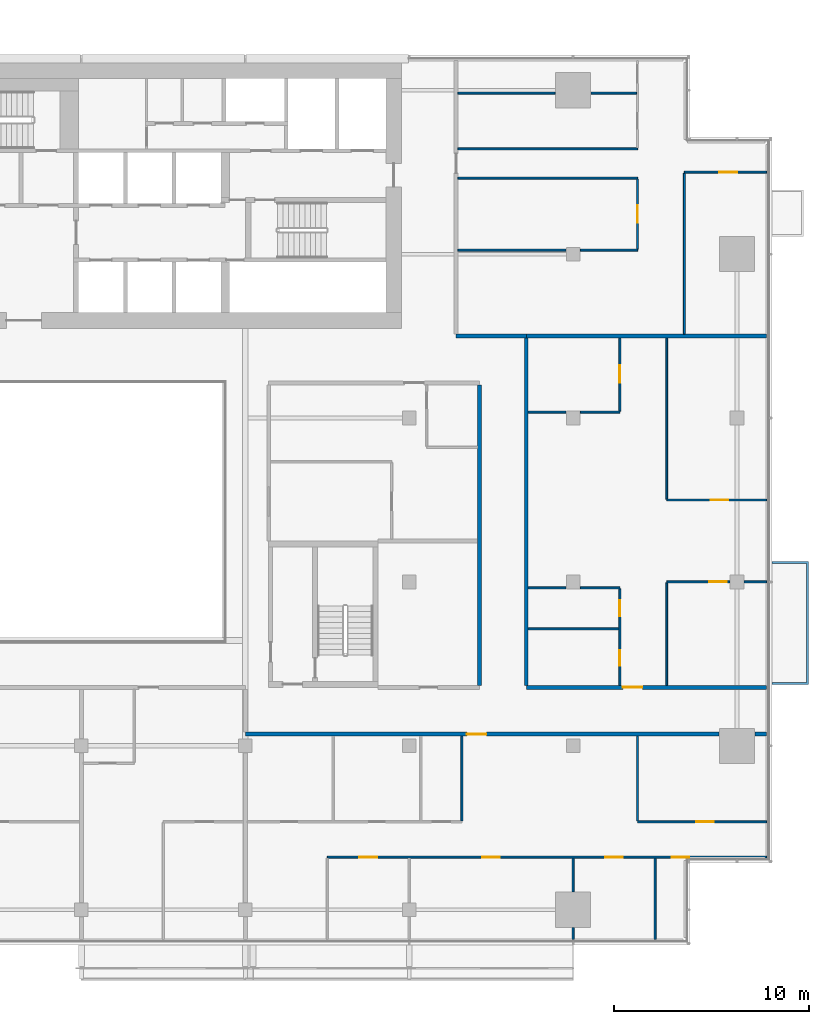
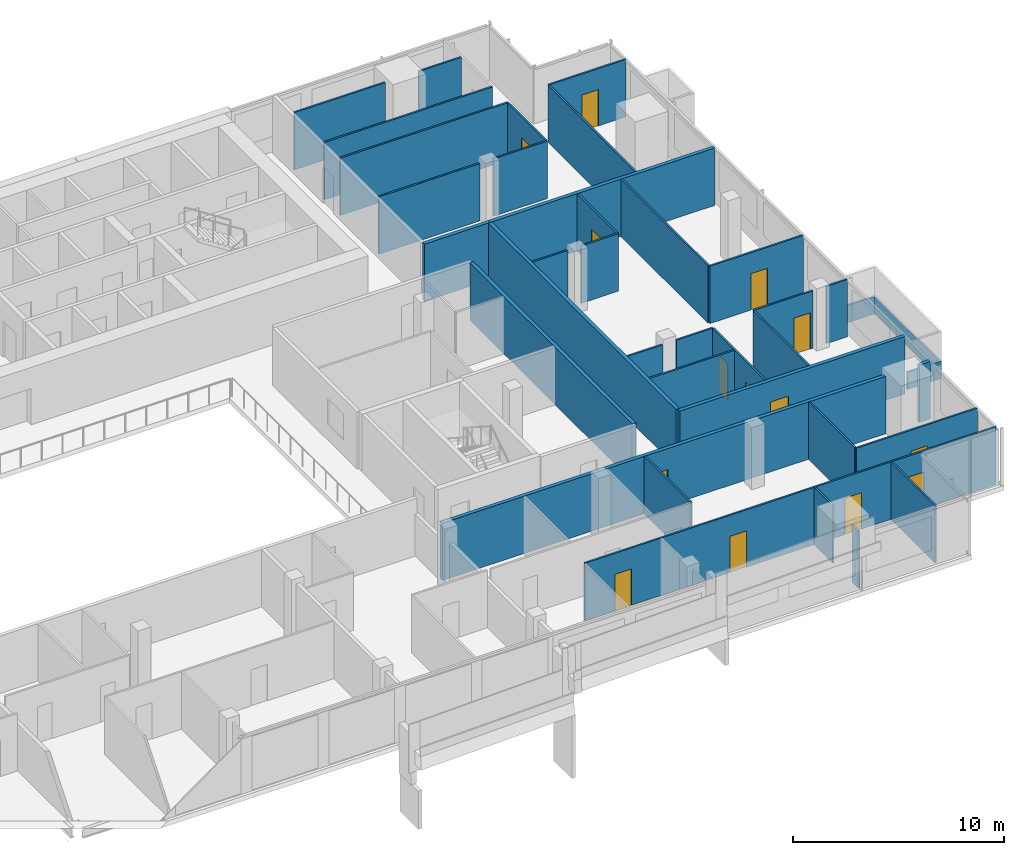
# One storey, part 23 of 28: 36 walls, 14 doors, 14 openings.
"""IFC4 building model written with IfcOpenShell, lengths in metres."""

from ifc_helpers import new_model, si_unit, direction, frame, frame_2d, origin, place, context, subcontext, project, spatial, polyline, rectangle, outline, extrude, material, layer, layer_set, type_object, element, fill, save


model = new_model("IFC4")

# Units and contexts
model_context = context("Model", 3, precision=1e-05, world=origin(), true_north=direction((0.0, 1.0)))
body_context = subcontext(model_context, "Body", "Model", "MODEL_VIEW")
ifc_project = project(units=[si_unit("LENGTHUNIT", "METRE"), si_unit("AREAUNIT", "SQUARE_METRE"), si_unit("VOLUMEUNIT", "CUBIC_METRE"), si_unit("PLANEANGLEUNIT", "RADIAN"), si_unit("MASSUNIT", "GRAM", prefix="KILO")], contexts=[model_context])

# Site, building, storey
site_placement = place(None, origin())
site = spatial("IfcSite", under=ifc_project, at=site_placement, CompositionType="ELEMENT")
building_placement = place(site_placement, origin())
building = spatial("IfcBuilding", under=site, at=building_placement, Name="Saffron Gate Tower", CompositionType="ELEMENT")
storey_placement = place(building_placement, frame((0.0, 0.0, 176.25)))
storey = spatial("IfcBuildingStorey", under=building, at=storey_placement, Name="L43", CompositionType="ELEMENT", Elevation=176.25)

# Wall, openings, doors
ifc_material_1 = material(Name="Plasterboard on steel studs", Category="steel")
ifc_layer_1 = layer(ifc_material_1, 0.10009765625)
ifc_layer_set_1 = layer_set([ifc_layer_1], Name="PW1 Partition 100")
wall_type_1 = type_object("IfcWallType", Name="PW1 Partition 100", PredefinedType="PARTITIONING", material=ifc_layer_set_1)
wall_1_placement = place(storey_placement, frame((126.919921875, 34.5, 0.0), z_axis=(0.0, 0.0, 1.0), x_axis=(-1.0, 0.0, 0.0)))
wall_1 = element("IfcWall", 1, at=wall_1_placement, inside=storey, type_object=wall_type_1, Name="Partition C3-1", PredefinedType="PARTITIONING", context=body_context, shape_type="SweptSolid", body=[
    extrude(rectangle(XDim=22.52001953125, YDim=0.10009765625, at=frame_2d((11.260009765625, 0.0))), origin(), (0.0, 0.0, 1.0), 3.320068359375),
])
opening_1_placement = place(wall_1_placement, frame((3.96630859375, 0.0, 0.0)))
opening_1 = element("IfcOpeningElement", 2, at=opening_1_placement, cuts=wall_1, Name="Opening C3-23", PredefinedType="OPENING", context=body_context, shape_type="SweptSolid", body=[
    extrude(rectangle(XDim=0.89990234375, YDim=2.10009765625, at=frame_2d((0.449951171875, 1.050048828125))), frame((0.0, 0.06005859375, 0.0), z_axis=(0.0, -1.0, 0.0), x_axis=(1.0, 0.0, 0.0)), (0.0, 0.0, 1.0), 0.1201171875),
])
opening_2_placement = place(wall_1_placement, frame((7.3701171875, 0.0, 0.0)))
opening_2 = element("IfcOpeningElement", 3, at=opening_2_placement, cuts=wall_1, Name="Opening C3-22", PredefinedType="OPENING", context=body_context, shape_type="SweptSolid", body=[
    extrude(rectangle(XDim=0.89990234375, YDim=2.10009765625, at=frame_2d((0.449951171875, 1.050048828125))), frame((0.0, 0.06005859375, 0.0), z_axis=(0.0, -1.0, 0.0), x_axis=(1.0, 0.0, 0.0)), (0.0, 0.0, 1.0), 0.1201171875),
])
opening_3_placement = place(wall_1_placement, frame((13.669921875, 0.0, 0.0)))
opening_3 = element("IfcOpeningElement", 4, at=opening_3_placement, cuts=wall_1, Name="Opening C3-21", PredefinedType="OPENING", context=body_context, shape_type="SweptSolid", body=[
    extrude(rectangle(XDim=0.89990234375, YDim=2.10009765625, at=frame_2d((0.449951171875, 1.050048828125))), frame((0.0, 0.06005859375, 0.0), z_axis=(0.0, -1.0, 0.0), x_axis=(1.0, 0.0, 0.0)), (0.0, 0.0, 1.0), 0.1201171875),
])
opening_4_placement = place(wall_1_placement, frame((19.969970703125, 0.0, 0.0)))
opening_4 = element("IfcOpeningElement", 5, at=opening_4_placement, cuts=wall_1, Name="Opening C3-20", PredefinedType="OPENING", context=body_context, shape_type="SweptSolid", body=[
    extrude(rectangle(XDim=0.89990234375, YDim=2.10009765625, at=frame_2d((0.449951171875, 1.050048828125))), frame((0.0, 0.06005859375, 0.0), z_axis=(0.0, -1.0, 0.0), x_axis=(1.0, 0.0, 0.0)), (0.0, 0.0, 1.0), 0.1201171875),
])
ifc_material_2 = material(Name="Timber door set", Category="wood")
door_type_1 = type_object("IfcDoorType", Name="RD1 Room door 900x2100", OperationType="NOTDEFINED", PredefinedType="DOOR", material=ifc_material_2)
door_1_placement = place(opening_1_placement, origin())
door_1 = element("IfcDoor", 6, at=door_1_placement, inside=storey, type_object=door_type_1, Name="Door C3-23", OperationType="SINGLE_SWING_RIGHT", OverallHeight=2.10009765625, OverallWidth=0.89990234375, PredefinedType="DOOR", context=body_context, shape_type="SweptSolid", body=[
    extrude(rectangle(XDim=0.89990234375, YDim=2.10009765625, at=frame_2d((0.449951171875, 1.050048828125))), frame((0.0, 0.02490234375, 0.0), z_axis=(0.0, -1.0, 0.0), x_axis=(1.0, 0.0, 0.0)), (0.0, 0.0, 1.0), 0.050048828125),
])
fill(opening_1, door_1)
door_2_placement = place(opening_2_placement, origin())
door_2 = element("IfcDoor", 7, at=door_2_placement, inside=storey, type_object=door_type_1, Name="Door C3-22", OperationType="SINGLE_SWING_RIGHT", OverallHeight=2.10009765625, OverallWidth=0.89990234375, PredefinedType="DOOR", context=body_context, shape_type="SweptSolid", body=[
    extrude(rectangle(XDim=0.89990234375, YDim=2.10009765625, at=frame_2d((0.449951171875, 1.050048828125))), frame((0.0, 0.02490234375, 0.0), z_axis=(0.0, -1.0, 0.0), x_axis=(1.0, 0.0, 0.0)), (0.0, 0.0, 1.0), 0.050048828125),
])
fill(opening_2, door_2)
door_3_placement = place(opening_3_placement, origin())
door_3 = element("IfcDoor", 8, at=door_3_placement, inside=storey, type_object=door_type_1, Name="Door C3-21", OperationType="SINGLE_SWING_RIGHT", OverallHeight=2.10009765625, OverallWidth=0.89990234375, PredefinedType="DOOR", context=body_context, shape_type="SweptSolid", body=[
    extrude(rectangle(XDim=0.89990234375, YDim=2.10009765625, at=frame_2d((0.449951171875, 1.050048828125))), frame((0.0, 0.02490234375, 0.0), z_axis=(0.0, -1.0, 0.0), x_axis=(1.0, 0.0, 0.0)), (0.0, 0.0, 1.0), 0.050048828125),
])
fill(opening_3, door_3)
door_4_placement = place(opening_4_placement, origin())
door_4 = element("IfcDoor", 9, at=door_4_placement, inside=storey, type_object=door_type_1, Name="Door C3-20", OperationType="SINGLE_SWING_RIGHT", OverallHeight=2.10009765625, OverallWidth=0.89990234375, PredefinedType="DOOR", context=body_context, shape_type="SweptSolid", body=[
    extrude(rectangle(XDim=0.89990234375, YDim=2.10009765625, at=frame_2d((0.449951171875, 1.050048828125))), frame((0.0, 0.02490234375, 0.0), z_axis=(0.0, -1.0, 0.0), x_axis=(1.0, 0.0, 0.0)), (0.0, 0.0, 1.0), 0.050048828125),
])
fill(opening_4, door_4)

# Wall, opening, door
wall_2_placement = place(storey_placement, frame((120.300048828125, 36.300048828125, 0.0), z_axis=(0.0, 0.0, 1.0), x_axis=(1.0, 0.0, 0.0)))
wall_2 = element("IfcWall", 10, at=wall_2_placement, inside=storey, type_object=wall_type_1, Name="Partition C3-4", PredefinedType="PARTITIONING", context=body_context, shape_type="SweptSolid", body=[
    extrude(rectangle(XDim=6.619873046875, YDim=0.10009765625, at=frame_2d((3.31005859375, 0.0))), origin(), (0.0, 0.0, 1.0), 3.320068359375),
])
opening_5_placement = place(wall_2_placement, frame((3.0, 0.0, 0.0)))
opening_5 = element("IfcOpeningElement", 11, at=opening_5_placement, cuts=wall_2, Name="Opening C3-24", PredefinedType="OPENING", context=body_context, shape_type="SweptSolid", body=[
    extrude(rectangle(XDim=0.89990234375, YDim=2.10009765625, at=frame_2d((0.449951171875, 1.050048828125))), frame((0.0, 0.06005859375, 0.0), z_axis=(0.0, -1.0, 0.0), x_axis=(1.0, 0.0, 0.0)), (0.0, 0.0, 1.0), 0.1201171875),
])
door_5_placement = place(opening_5_placement, origin())
door_5 = element("IfcDoor", 12, at=door_5_placement, inside=storey, type_object=door_type_1, Name="Door C3-24", OperationType="SINGLE_SWING_RIGHT", OverallHeight=2.10009765625, OverallWidth=0.89990234375, PredefinedType="DOOR", context=body_context, shape_type="SweptSolid", body=[
    extrude(rectangle(XDim=0.89990234375, YDim=2.10009765625, at=frame_2d((0.449951171875, 1.050048828125))), frame((0.0, 0.02490234375, 0.0), z_axis=(0.0, -1.0, 0.0), x_axis=(1.0, 0.0, 0.0)), (0.0, 0.0, 1.0), 0.050048828125),
])
fill(opening_5, door_5)

# Walls
wall_3_placement = place(storey_placement, frame((114.699951171875, 46.199951171875, 0.0), z_axis=(0.0, 0.0, 1.0), x_axis=(1.0, 0.0, 0.0)))
element("IfcWall", 13, at=wall_3_placement, inside=storey, type_object=wall_type_1, Name="Partition C3-18", PredefinedType="PARTITIONING", context=body_context, shape_type="SweptSolid", body=[
    extrude(rectangle(XDim=4.650146484375, YDim=0.10009765625, at=frame_2d((2.3251953125, 0.0))), origin(), (0.0, 0.0, 1.0), 3.320068359375),
])
wall_4_placement = place(storey_placement, frame((114.699951171875, 48.300048828125, 0.0), z_axis=(0.0, 0.0, 1.0), x_axis=(1.0, 0.0, 0.0)))
element("IfcWall", 14, at=wall_4_placement, inside=storey, type_object=wall_type_1, Name="Partition C3-19", PredefinedType="PARTITIONING", context=body_context, shape_type="SweptSolid", body=[
    extrude(rectangle(XDim=1.929931640625, YDim=0.10009765625, at=frame_2d((0.96484375, 0.0))), origin(), (0.0, 0.0, 1.0), 3.320068359375),
])
wall_5_placement = place(storey_placement, frame((117.3701171875, 48.300048828125, 0.0), z_axis=(0.0, 0.0, 1.0), x_axis=(1.0, 0.0, 0.0)))
element("IfcWall", 15, at=wall_5_placement, inside=storey, type_object=wall_type_1, Name="Partition C3-20", PredefinedType="PARTITIONING", context=body_context, shape_type="SweptSolid", body=[
    extrude(rectangle(XDim=2.02978515625, YDim=0.10009765625, at=frame_2d((1.014892578125, 0.0))), origin(), (0.0, 0.0, 1.0), 3.320068359375),
])

# Wall, opening, door
wall_6_placement = place(storey_placement, frame((125.030029296875, 48.60009765625, 0.0), z_axis=(0.0, 0.0, 1.0), x_axis=(-1.0, 0.0, 0.0)))
wall_6 = element("IfcWall", 16, at=wall_6_placement, inside=storey, type_object=wall_type_1, Name="Partition C3-23", PredefinedType="PARTITIONING", context=body_context, shape_type="SweptSolid", body=[
    extrude(rectangle(XDim=3.22998046875, YDim=0.10009765625, at=frame_2d((1.614990234375, 0.0))), origin(), (0.0, 0.0, 1.0), 3.320068359375),
])
opening_6_placement = place(wall_6_placement, frame((0.14990234375, 0.0, 0.0)))
opening_6 = element("IfcOpeningElement", 17, at=opening_6_placement, cuts=wall_6, Name="Opening C3-32", PredefinedType="OPENING", context=body_context, shape_type="SweptSolid", body=[
    extrude(rectangle(XDim=0.89990234375, YDim=2.10009765625, at=frame_2d((0.449951171875, 1.050048828125))), frame((0.0, 0.06005859375, 0.0), z_axis=(0.0, -1.0, 0.0), x_axis=(1.0, 0.0, 0.0)), (0.0, 0.0, 1.0), 0.1201171875),
])
door_6_placement = place(opening_6_placement, origin())
door_6 = element("IfcDoor", 18, at=door_6_placement, inside=storey, type_object=door_type_1, Name="Door C3-32", OperationType="SINGLE_SWING_LEFT", OverallHeight=2.10009765625, OverallWidth=0.89990234375, PredefinedType="DOOR", context=body_context, shape_type="SweptSolid", body=[
    extrude(rectangle(XDim=0.89990234375, YDim=2.10009765625, at=frame_2d((0.449951171875, 1.050048828125))), frame((0.0, 0.02490234375, 0.0), z_axis=(0.0, -1.0, 0.0), x_axis=(1.0, 0.0, 0.0)), (0.0, 0.0, 1.0), 0.050048828125),
])
fill(opening_6, door_6)

# Wall
wall_7_placement = place(storey_placement, frame((125.77001953125, 48.60009765625, 0.0), z_axis=(0.0, 0.0, 1.0), x_axis=(1.0, 0.0, 0.0)))
element("IfcWall", 19, at=wall_7_placement, inside=storey, type_object=wall_type_1, Name="Partition C3-24", PredefinedType="PARTITIONING", context=body_context, shape_type="SweptSolid", body=[
    extrude(rectangle(XDim=1.14990234375, YDim=0.10009765625, at=frame_2d((0.574951171875, 0.0))), origin(), (0.0, 0.0, 1.0), 3.320068359375),
])

# Wall, opening, door
wall_8_placement = place(storey_placement, frame((121.800048828125, 52.800048828125, 0.0), z_axis=(0.0, 0.0, 1.0), x_axis=(1.0, 0.0, 0.0)))
wall_8 = element("IfcWall", 20, at=wall_8_placement, inside=storey, type_object=wall_type_1, Name="Partition C3-29", PredefinedType="PARTITIONING", context=body_context, shape_type="SweptSolid", body=[
    extrude(rectangle(XDim=5.119873046875, YDim=0.10009765625, at=frame_2d((2.56005859375, 0.0))), origin(), (0.0, 0.0, 1.0), 3.320068359375),
])
opening_7_placement = place(wall_8_placement, frame((2.25, 0.0, 0.0)))
opening_7 = element("IfcOpeningElement", 21, at=opening_7_placement, cuts=wall_8, Name="Opening C3-33", PredefinedType="OPENING", context=body_context, shape_type="SweptSolid", body=[
    extrude(rectangle(XDim=0.89990234375, YDim=2.10009765625, at=frame_2d((0.449951171875, 1.050048828125))), frame((0.0, 0.06005859375, 0.0), z_axis=(0.0, -1.0, 0.0), x_axis=(1.0, 0.0, 0.0)), (0.0, 0.0, 1.0), 0.1201171875),
])
door_7_placement = place(opening_7_placement, origin())
door_7 = element("IfcDoor", 22, at=door_7_placement, inside=storey, type_object=door_type_1, Name="Door C3-33", OperationType="SINGLE_SWING_RIGHT", OverallHeight=2.10009765625, OverallWidth=0.89990234375, PredefinedType="DOOR", context=body_context, shape_type="SweptSolid", body=[
    extrude(rectangle(XDim=0.89990234375, YDim=2.10009765625, at=frame_2d((0.449951171875, 1.050048828125))), frame((0.0, 0.02490234375, 0.0), z_axis=(0.0, -1.0, 0.0), x_axis=(1.0, 0.0, 0.0)), (0.0, 0.0, 1.0), 0.050048828125),
])
fill(opening_7, door_7)

# Walls
wall_9_placement = place(storey_placement, frame((114.699951171875, 57.300048828125, 0.0), z_axis=(0.0, 0.0, 1.0), x_axis=(1.0, 0.0, 0.0)))
element("IfcWall", 23, at=wall_9_placement, inside=storey, type_object=wall_type_1, Name="Partition C3-36", PredefinedType="PARTITIONING", context=body_context, shape_type="SweptSolid", body=[
    extrude(rectangle(XDim=1.929931640625, YDim=0.10009765625, at=frame_2d((0.96484375, 0.0))), origin(), (0.0, 0.0, 1.0), 3.320068359375),
])
wall_10_placement = place(storey_placement, frame((117.3701171875, 57.300048828125, 0.0), z_axis=(0.0, 0.0, 1.0), x_axis=(1.0, 0.0, 0.0)))
element("IfcWall", 24, at=wall_10_placement, inside=storey, type_object=wall_type_1, Name="Partition C3-37", PredefinedType="PARTITIONING", context=body_context, shape_type="SweptSolid", body=[
    extrude(rectangle(XDim=2.02978515625, YDim=0.10009765625, at=frame_2d((1.014892578125, 0.0))), origin(), (0.0, 0.0, 1.0), 3.320068359375),
])
wall_11_placement = place(storey_placement, frame((111.10009765625, 65.608642578125, 0.0), z_axis=(0.0, 0.0, 1.0), x_axis=(1.0, 0.0, 0.0)))
element("IfcWall", 25, at=wall_11_placement, inside=storey, type_object=wall_type_1, Name="Partition C3-46", PredefinedType="PARTITIONING", context=body_context, shape_type="SweptSolid", body=[
    extrude(rectangle(XDim=5.52978515625, YDim=0.10009765625, at=frame_2d((2.764892578125, 0.0))), origin(), (0.0, 0.0, 1.0), 3.320068359375),
])
wall_12_placement = place(storey_placement, frame((117.3701171875, 65.608642578125, 0.0), z_axis=(0.0, 0.0, 1.0), x_axis=(1.0, 0.0, 0.0)))
element("IfcWall", 26, at=wall_12_placement, inside=storey, type_object=wall_type_1, Name="Partition C3-47", PredefinedType="PARTITIONING", context=body_context, shape_type="SweptSolid", body=[
    extrude(rectangle(XDim=2.929931640625, YDim=0.10009765625, at=frame_2d((1.46484375, 0.0))), origin(), (0.0, 0.0, 1.0), 3.320068359375),
])
wall_13_placement = place(storey_placement, frame((111.10009765625, 69.300048828125, 0.0), z_axis=(0.0, 0.0, 1.0), x_axis=(1.0, 0.0, 0.0)))
element("IfcWall", 27, at=wall_13_placement, inside=storey, type_object=wall_type_1, Name="Partition C3-50", PredefinedType="PARTITIONING", context=body_context, shape_type="SweptSolid", body=[
    extrude(rectangle(XDim=9.199951171875, YDim=0.10009765625, at=frame_2d((4.60009765625, 0.0))), origin(), (0.0, 0.0, 1.0), 3.320068359375),
])

# Wall, opening, door
wall_14_placement = place(storey_placement, frame((126.919921875, 69.60009765625, 0.0), z_axis=(0.0, 0.0, 1.0), x_axis=(-1.0, 0.0, 0.0)))
wall_14 = element("IfcWall", 28, at=wall_14_placement, inside=storey, type_object=wall_type_1, Name="Partition C3-52", PredefinedType="PARTITIONING", context=body_context, shape_type="SweptSolid", body=[
    extrude(rectangle(XDim=4.219970703125, YDim=0.10009765625, at=frame_2d((2.10986328125, 0.0))), origin(), (0.0, 0.0, 1.0), 3.320068359375),
])
opening_8_placement = place(wall_14_placement, frame((1.52001953125, 0.0, 0.0)))
opening_8 = element("IfcOpeningElement", 29, at=opening_8_placement, cuts=wall_14, Name="Opening C3-35", PredefinedType="OPENING", context=body_context, shape_type="SweptSolid", body=[
    extrude(rectangle(XDim=0.89990234375, YDim=2.10009765625, at=frame_2d((0.449951171875, 1.050048828125))), frame((0.0, 0.06005859375, 0.0), z_axis=(0.0, -1.0, 0.0), x_axis=(1.0, 0.0, 0.0)), (0.0, 0.0, 1.0), 0.1201171875),
])
door_8_placement = place(opening_8_placement, origin())
door_8 = element("IfcDoor", 30, at=door_8_placement, inside=storey, type_object=door_type_1, Name="Door C3-35", OperationType="SINGLE_SWING_LEFT", OverallHeight=2.10009765625, OverallWidth=0.89990234375, PredefinedType="DOOR", context=body_context, shape_type="SweptSolid", body=[
    extrude(rectangle(XDim=0.89990234375, YDim=2.10009765625, at=frame_2d((0.449951171875, 1.050048828125))), frame((0.0, 0.02490234375, 0.0), z_axis=(0.0, -1.0, 0.0), x_axis=(1.0, 0.0, 0.0)), (0.0, 0.0, 1.0), 0.050048828125),
])
fill(opening_8, door_8)

# Walls
wall_15_placement = place(storey_placement, frame((111.10009765625, 70.800048828125, 0.0), z_axis=(0.0, 0.0, 1.0), x_axis=(1.0, 0.0, 0.0)))
element("IfcWall", 31, at=wall_15_placement, inside=storey, type_object=wall_type_1, Name="Partition C3-53", PredefinedType="PARTITIONING", context=body_context, shape_type="SweptSolid", body=[
    extrude(rectangle(XDim=9.199951171875, YDim=0.10009765625, at=frame_2d((4.60009765625, 0.0))), origin(), (0.0, 0.0, 1.0), 3.320068359375),
])
wall_16_placement = place(storey_placement, frame((111.10009765625, 73.6494140625, 0.0), z_axis=(0.0, 0.0, 1.0), x_axis=(1.0, 0.0, 0.0)))
element("IfcWall", 32, at=wall_16_placement, inside=storey, type_object=wall_type_1, Name="Partition C3-55", PredefinedType="PARTITIONING", context=body_context, shape_type="SweptSolid", body=[
    extrude(rectangle(XDim=4.97998046875, YDim=0.10009765625, at=frame_2d((2.489990234375, 0.0))), origin(), (0.0, 0.0, 1.0), 3.320068359375),
])
wall_17_placement = place(storey_placement, frame((117.919921875, 73.6494140625, 0.0), z_axis=(0.0, 0.0, 1.0), x_axis=(1.0, 0.0, 0.0)))
element("IfcWall", 33, at=wall_17_placement, inside=storey, type_object=wall_type_1, Name="Partition C3-56", PredefinedType="PARTITIONING", context=body_context, shape_type="SweptSolid", body=[
    extrude(rectangle(XDim=2.330078125, YDim=0.10009765625, at=frame_2d((1.1650390625, 0.0))), origin(), (0.0, 0.0, 1.0), 3.320068359375),
])
wall_18_placement = place(storey_placement, frame((111.300048828125, 40.699951171875, 0.0), z_axis=(0.0, 0.0, 1.0), x_axis=(0.0, -1.0, 0.0)))
element("IfcWall", 34, at=wall_18_placement, inside=storey, type_object=wall_type_1, Name="Partition C3-105", PredefinedType="PARTITIONING", context=body_context, shape_type="SweptSolid", body=[
    extrude(rectangle(XDim=4.349853515625, YDim=0.10009765625, at=frame_2d((2.1748046875, 0.0))), origin(), (0.0, 0.0, 1.0), 3.320068359375),
])
wall_19_placement = place(storey_placement, frame((117.0, 30.8798828125, 0.0), z_axis=(0.0, 0.0, 1.0), x_axis=(0.0, -1.0, 0.0)))
element("IfcWall", 35, at=wall_19_placement, inside=storey, type_object=wall_type_1, Name="Partition C3-108", PredefinedType="PARTITIONING", context=body_context, shape_type="SweptSolid", body=[
    extrude(rectangle(XDim=0.599853515625, YDim=0.10009765625, at=frame_2d((0.2998046875, 0.0))), origin(), (0.0, 0.0, 1.0), 3.320068359375),
])
wall_20_placement = place(storey_placement, frame((117.0, 34.449951171875, 0.0), z_axis=(0.0, 0.0, 1.0), x_axis=(0.0, -1.0, 0.0)))
element("IfcWall", 36, at=wall_20_placement, inside=storey, type_object=wall_type_1, Name="Partition C3-109", PredefinedType="PARTITIONING", context=body_context, shape_type="SweptSolid", body=[
    extrude(rectangle(XDim=1.72998046875, YDim=0.10009765625, at=frame_2d((0.864990234375, 0.0))), origin(), (0.0, 0.0, 1.0), 3.320068359375),
])

# Wall, openings, doors
wall_21_placement = place(storey_placement, frame((119.39990234375, 43.300048828125, 0.0), z_axis=(0.0, 0.0, 1.0), x_axis=(0.0, 1.0, 0.0)))
wall_21 = element("IfcWall", 37, at=wall_21_placement, inside=storey, type_object=wall_type_1, Name="Partition C3-110", PredefinedType="PARTITIONING", context=body_context, shape_type="SweptSolid", body=[
    extrude(rectangle(XDim=4.949951171875, YDim=0.10009765625, at=frame_2d((2.47509765625, 0.0))), origin(), (0.0, 0.0, 1.0), 3.320068359375),
])
opening_9_placement = place(wall_21_placement, frame((1.0, 0.0, 0.0)))
opening_9 = element("IfcOpeningElement", 38, at=opening_9_placement, cuts=wall_21, Name="Opening C3-50", PredefinedType="OPENING", context=body_context, shape_type="SweptSolid", body=[
    extrude(rectangle(XDim=0.800048828125, YDim=2.10009765625, at=frame_2d((0.39990234375, 1.050048828125))), frame((0.0, 0.06005859375, 0.0), z_axis=(0.0, -1.0, 0.0), x_axis=(1.0, 0.0, 0.0)), (0.0, 0.0, 1.0), 0.1201171875),
])
opening_10_placement = place(wall_21_placement, frame((3.550048828125, 0.0, 0.0)))
opening_10 = element("IfcOpeningElement", 39, at=opening_10_placement, cuts=wall_21, Name="Opening C3-51", PredefinedType="OPENING", context=body_context, shape_type="SweptSolid", body=[
    extrude(rectangle(XDim=0.800048828125, YDim=2.10009765625, at=frame_2d((0.39990234375, 1.050048828125))), frame((0.0, 0.06005859375, 0.0), z_axis=(0.0, -1.0, 0.0), x_axis=(1.0, 0.0, 0.0)), (0.0, 0.0, 1.0), 0.1201171875),
])
door_type_2 = type_object("IfcDoorType", Name="RD2 Bathroom door 800x2100", OperationType="NOTDEFINED", PredefinedType="DOOR", material=ifc_material_2)
door_9_placement = place(opening_9_placement, origin())
door_9 = element("IfcDoor", 40, at=door_9_placement, inside=storey, type_object=door_type_2, Name="Door C3-50", OperationType="SINGLE_SWING_LEFT", OverallHeight=2.10009765625, OverallWidth=0.800048828125, PredefinedType="DOOR", context=body_context, shape_type="SweptSolid", body=[
    extrude(rectangle(XDim=0.800048828125, YDim=2.10009765625, at=frame_2d((0.39990234375, 1.050048828125))), frame((0.0, 0.02490234375, 0.0), z_axis=(0.0, -1.0, 0.0), x_axis=(1.0, 0.0, 0.0)), (0.0, 0.0, 1.0), 0.050048828125),
])
fill(opening_9, door_9)
door_10_placement = place(opening_10_placement, origin())
door_10 = element("IfcDoor", 41, at=door_10_placement, inside=storey, type_object=door_type_2, Name="Door C3-51", OperationType="SINGLE_SWING_RIGHT", OverallHeight=2.10009765625, OverallWidth=0.800048828125, PredefinedType="DOOR", context=body_context, shape_type="SweptSolid", body=[
    extrude(rectangle(XDim=0.800048828125, YDim=2.10009765625, at=frame_2d((0.39990234375, 1.050048828125))), frame((0.0, 0.02490234375, 0.0), z_axis=(0.0, -1.0, 0.0), x_axis=(1.0, 0.0, 0.0)), (0.0, 0.0, 1.0), 0.050048828125),
])
fill(opening_10, door_10)

# Wall, opening, door
wall_22_placement = place(storey_placement, frame((119.39990234375, 57.35009765625, 0.0), z_axis=(0.0, 0.0, 1.0), x_axis=(0.0, 1.0, 0.0)))
wall_22 = element("IfcWall", 42, at=wall_22_placement, inside=storey, type_object=wall_type_1, Name="Partition C3-111", PredefinedType="PARTITIONING", context=body_context, shape_type="SweptSolid", body=[
    extrude(rectangle(XDim=3.75, YDim=0.10009765625, at=frame_2d((1.875, 0.0))), origin(), (0.0, 0.0, 1.0), 3.320068359375),
])
opening_11_placement = place(wall_22_placement, frame((1.449951171875, 0.0, 0.0)))
opening_11 = element("IfcOpeningElement", 43, at=opening_11_placement, cuts=wall_22, Name="Opening C3-34", PredefinedType="OPENING", context=body_context, shape_type="SweptSolid", body=[
    extrude(rectangle(XDim=0.89990234375, YDim=2.10009765625, at=frame_2d((0.449951171875, 1.050048828125))), frame((0.0, 0.06005859375, 0.0), z_axis=(0.0, -1.0, 0.0), x_axis=(1.0, 0.0, 0.0)), (0.0, 0.0, 1.0), 0.1201171875),
])
door_11_placement = place(opening_11_placement, origin())
door_11 = element("IfcDoor", 44, at=door_11_placement, inside=storey, type_object=door_type_1, Name="Door C3-34", OperationType="SINGLE_SWING_RIGHT", OverallHeight=2.10009765625, OverallWidth=0.89990234375, PredefinedType="DOOR", context=body_context, shape_type="SweptSolid", body=[
    extrude(rectangle(XDim=0.89990234375, YDim=2.10009765625, at=frame_2d((0.449951171875, 1.050048828125))), frame((0.0, 0.02490234375, 0.0), z_axis=(0.0, -1.0, 0.0), x_axis=(1.0, 0.0, 0.0)), (0.0, 0.0, 1.0), 0.050048828125),
])
fill(opening_11, door_11)

# Wall
wall_23_placement = place(storey_placement, frame((120.300048828125, 40.699951171875, 0.0), z_axis=(0.0, 0.0, 1.0), x_axis=(0.0, -1.0, 0.0)))
element("IfcWall", 45, at=wall_23_placement, inside=storey, type_object=wall_type_1, Name="Partition C3-112", PredefinedType="PARTITIONING", context=body_context, shape_type="SweptSolid", body=[
    extrude(rectangle(XDim=4.349853515625, YDim=0.10009765625, at=frame_2d((2.1748046875, 0.0))), origin(), (0.0, 0.0, 1.0), 3.320068359375),
])

# Wall, opening, door
wall_24_placement = place(storey_placement, frame((120.300048828125, 65.65869140625, 0.0), z_axis=(0.0, 0.0, 1.0), x_axis=(0.0, 1.0, 0.0)))
wall_24 = element("IfcWall", 46, at=wall_24_placement, inside=storey, type_object=wall_type_1, Name="Partition C3-113", PredefinedType="PARTITIONING", context=body_context, shape_type="SweptSolid", body=[
    extrude(rectangle(XDim=3.59130859375, YDim=0.10009765625, at=frame_2d((1.795654296875, 0.0))), origin(), (0.0, 0.0, 1.0), 3.320068359375),
])
opening_12_placement = place(wall_24_placement, frame((1.345703125, 0.0, 0.0)))
opening_12 = element("IfcOpeningElement", 47, at=opening_12_placement, cuts=wall_24, Name="Opening C3-36", PredefinedType="OPENING", context=body_context, shape_type="SweptSolid", body=[
    extrude(rectangle(XDim=0.89990234375, YDim=2.10009765625, at=frame_2d((0.449951171875, 1.050048828125))), frame((0.0, 0.06005859375, 0.0), z_axis=(0.0, -1.0, 0.0), x_axis=(1.0, 0.0, 0.0)), (0.0, 0.0, 1.0), 0.1201171875),
])
door_12_placement = place(opening_12_placement, origin())
door_12 = element("IfcDoor", 48, at=door_12_placement, inside=storey, type_object=door_type_1, Name="Door C3-36", OperationType="SINGLE_SWING_RIGHT", OverallHeight=2.10009765625, OverallWidth=0.89990234375, PredefinedType="DOOR", context=body_context, shape_type="SweptSolid", body=[
    extrude(rectangle(XDim=0.89990234375, YDim=2.10009765625, at=frame_2d((0.449951171875, 1.050048828125))), frame((0.0, 0.02490234375, 0.0), z_axis=(0.0, -1.0, 0.0), x_axis=(1.0, 0.0, 0.0)), (0.0, 0.0, 1.0), 0.050048828125),
])
fill(opening_12, door_12)

# Walls
wall_25_placement = place(storey_placement, frame((121.199951171875, 34.449951171875, 0.0), z_axis=(0.0, 0.0, 1.0), x_axis=(0.0, -1.0, 0.0)))
element("IfcWall", 49, at=wall_25_placement, inside=storey, type_object=wall_type_1, Name="Partition C3-115", PredefinedType="PARTITIONING", context=body_context, shape_type="SweptSolid", body=[
    extrude(rectangle(XDim=4.169921875, YDim=0.10009765625, at=frame_2d((2.0849609375, 0.0))), origin(), (0.0, 0.0, 1.0), 3.320068359375),
])
wall_26_placement = place(storey_placement, frame((121.800048828125, 48.550048828125, 0.0), z_axis=(0.0, 0.0, 1.0), x_axis=(0.0, -1.0, 0.0)))
element("IfcWall", 50, at=wall_26_placement, inside=storey, type_object=wall_type_1, Name="Partition C3-116", PredefinedType="PARTITIONING", context=body_context, shape_type="SweptSolid", body=[
    extrude(rectangle(XDim=5.25, YDim=0.10009765625, at=frame_2d((2.625, 0.0))), origin(), (0.0, 0.0, 1.0), 3.320068359375),
])
for number, where, z_axis, x_axis, name in (
    (51, (121.800048828125, 61.10009765625, 0.0), (0.0, 0.0, 1.0), (0.0, -1.0, 0.0), "Partition C3-117"),
    (52, (122.699951171875, 69.550048828125, 0.0), (0.0, 0.0, 1.0), (0.0, -1.0, 0.0), "Partition C3-118"),
):
    element("IfcWall", number, at=place(storey_placement, frame(where, z_axis=z_axis, x_axis=x_axis)), inside=storey, type_object=wall_type_1, Name=name, PredefinedType="PARTITIONING", context=body_context, shape_type="SweptSolid", body=[
        extrude(rectangle(XDim=8.25, YDim=0.10009765625, at=frame_2d((4.125, 0.0))), origin(), (0.0, 0.0, 1.0), 3.320068359375),
    ])
ifc_material_3 = material(Name="Clay brick masonry, rendered", Category="masonry")
ifc_layer_2 = layer(ifc_material_3, 0.199951171875)
ifc_layer_set_2 = layer_set([ifc_layer_2], Name="PW2 Demising wall 200")
wall_type_2 = type_object("IfcWallType", Name="PW2 Demising wall 200", PredefinedType="PARTITIONING", material=ifc_layer_set_2)
wall_27_placement = place(storey_placement, frame((114.60009765625, 61.199951171875, 0.0), z_axis=(0.0, 0.0, 1.0), x_axis=(1.0, 0.0, 0.0)))
element("IfcWall", 53, at=wall_27_placement, inside=storey, type_object=wall_type_2, Name="Wall C3-44", PredefinedType="PARTITIONING", context=body_context, shape_type="SweptSolid", body=[
    extrude(rectangle(XDim=12.31982421875, YDim=0.199951171875, at=frame_2d((6.159912109375, 0.0))), origin(), (0.0, 0.0, 1.0), 3.320068359375),
])

# Wall, opening, door
ifc_layer_3 = layer(ifc_material_3, 0.199951171875)
ifc_layer_set_3 = layer_set([ifc_layer_3], Name="PW3 Corridor wall 200")
wall_type_3 = type_object("IfcWallType", Name="PW3 Corridor wall 200", PredefinedType="PARTITIONING", material=ifc_layer_set_3)
wall_28_placement = place(storey_placement, frame((124.47998046875, 40.800048828125, 0.0), z_axis=(0.0, 0.0, 1.0), x_axis=(-1.0, 0.0, 0.0)))
wall_28 = element("IfcWall", 54, at=wall_28_placement, inside=storey, type_object=wall_type_3, Name="Wall C3-11", PredefinedType="PARTITIONING", context=body_context, shape_type="SweptSolid", body=[
    extrude(rectangle(XDim=24.280029296875, YDim=0.199951171875, at=frame_2d((12.14013671875, 0.0))), origin(), (0.0, 0.0, 1.0), 3.320068359375),
])
opening_13_placement = place(wall_28_placement, frame((11.929931640625, 0.0, 0.0)))
opening_13 = element("IfcOpeningElement", 55, at=opening_13_placement, cuts=wall_28, Name="Opening C3-4", PredefinedType="OPENING", context=body_context, shape_type="SweptSolid", body=[
    extrude(rectangle(XDim=1.0, YDim=2.10009765625, at=frame_2d((0.5, 1.050048828125))), frame((0.0, 0.10986328125, 0.0), z_axis=(0.0, -1.0, 0.0), x_axis=(1.0, 0.0, 0.0)), (0.0, 0.0, 1.0), 0.219970703125),
])
ifc_material_4 = material(Name="Timber fire door set", Category="wood")
door_type_3 = type_object("IfcDoorType", Name="FD1 Flat entry door 1000x2100", OperationType="NOTDEFINED", PredefinedType="DOOR", material=ifc_material_4)
door_13_placement = place(opening_13_placement, origin())
door_13 = element("IfcDoor", 56, at=door_13_placement, inside=storey, type_object=door_type_3, Name="Door C3-4", OperationType="SINGLE_SWING_RIGHT", OverallHeight=2.10009765625, OverallWidth=1.0, PredefinedType="DOOR", context=body_context, shape_type="SweptSolid", body=[
    extrude(rectangle(XDim=1.0, YDim=2.10009765625, at=frame_2d((0.5, 1.050048828125))), frame((0.0, 0.02490234375, 0.0), z_axis=(0.0, -1.0, 0.0), x_axis=(1.0, 0.0, 0.0)), (0.0, 0.0, 1.0), 0.050048828125),
])
fill(opening_13, door_13)

# Wall
wall_29_placement = place(storey_placement, frame((126.320068359375, 40.800048828125, 0.0), z_axis=(0.0, 0.0, 1.0), x_axis=(1.0, 0.0, 0.0)))
element("IfcWall", 57, at=wall_29_placement, inside=storey, type_object=wall_type_3, Name="Wall C3-12", PredefinedType="PARTITIONING", context=body_context, shape_type="SweptSolid", body=[
    extrude(rectangle(XDim=0.599853515625, YDim=0.199951171875, at=frame_2d((0.2998046875, 0.0))), origin(), (0.0, 0.0, 1.0), 3.320068359375),
])

# Wall, opening, door
wall_30_placement = place(storey_placement, frame((114.60009765625, 43.199951171875, 0.0), z_axis=(0.0, 0.0, 1.0), x_axis=(1.0, 0.0, 0.0)))
wall_30 = element("IfcWall", 58, at=wall_30_placement, inside=storey, type_object=wall_type_3, Name="Wall C3-17", PredefinedType="PARTITIONING", context=body_context, shape_type="SweptSolid", body=[
    extrude(rectangle(XDim=12.31982421875, YDim=0.199951171875, at=frame_2d((6.159912109375, 0.0))), origin(), (0.0, 0.0, 1.0), 3.320068359375),
])
opening_14_placement = place(wall_30_placement, frame((4.949951171875, 0.0, 0.0)))
opening_14 = element("IfcOpeningElement", 59, at=opening_14_placement, cuts=wall_30, Name="Opening C3-7", PredefinedType="OPENING", context=body_context, shape_type="SweptSolid", body=[
    extrude(rectangle(XDim=1.0, YDim=2.10009765625, at=frame_2d((0.5, 1.050048828125))), frame((0.0, 0.10986328125, 0.0), z_axis=(0.0, -1.0, 0.0), x_axis=(1.0, 0.0, 0.0)), (0.0, 0.0, 1.0), 0.219970703125),
])
door_14_placement = place(opening_14_placement, origin())
door_14 = element("IfcDoor", 60, at=door_14_placement, inside=storey, type_object=door_type_3, Name="Door C3-7", OperationType="SINGLE_SWING_LEFT", OverallHeight=2.10009765625, OverallWidth=1.0, PredefinedType="DOOR", context=body_context, shape_type="SweptSolid", body=[
    extrude(rectangle(XDim=1.0, YDim=2.10009765625, at=frame_2d((0.5, 1.050048828125))), frame((0.0, 0.02490234375, 0.0), z_axis=(0.0, -1.0, 0.0), x_axis=(1.0, 0.0, 0.0)), (0.0, 0.0, 1.0), 0.050048828125),
])
fill(opening_14, door_14)

# Walls
wall_31_placement = place(storey_placement, frame((111.0, 61.199951171875, 0.0), z_axis=(0.0, 0.0, 1.0), x_axis=(1.0, 0.0, 0.0)))
element("IfcWall", 61, at=wall_31_placement, inside=storey, type_object=wall_type_3, Name="Wall C3-42", PredefinedType="PARTITIONING", context=body_context, shape_type="SweptSolid", body=[
    extrude(rectangle(XDim=3.60009765625, YDim=0.199951171875, at=frame_2d((1.800048828125, 0.0))), origin(), (0.0, 0.0, 1.0), 3.320068359375),
])
wall_32_placement = place(storey_placement, frame((112.199951171875, 58.699951171875, 0.0), z_axis=(0.0, 0.0, 1.0), x_axis=(0.0, -1.0, 0.0)))
element("IfcWall", 62, at=wall_32_placement, inside=storey, type_object=wall_type_3, Name="Wall C3-106", PredefinedType="PARTITIONING", context=body_context, shape_type="SweptSolid", body=[
    extrude(rectangle(XDim=15.39990234375, YDim=0.199951171875, at=frame_2d((7.699951171875, 0.0))), origin(), (0.0, 0.0, 1.0), 3.320068359375),
])
wall_33_placement = place(storey_placement, frame((114.60009765625, 61.10009765625, 0.0), z_axis=(0.0, 0.0, 1.0), x_axis=(0.0, -1.0, 0.0)))
element("IfcWall", 63, at=wall_33_placement, inside=storey, type_object=wall_type_3, Name="Wall C3-107", PredefinedType="PARTITIONING", context=body_context, shape_type="SweptSolid", body=[
    extrude(rectangle(XDim=17.800048828125, YDim=0.199951171875, at=frame_2d((8.89990234375, 0.0))), origin(), (0.0, 0.0, 1.0), 3.320068359375),
])
ifc_material_5 = material(Name="Rendered insulated panel, white")
ifc_layer_4 = layer(ifc_material_5, 0.10009765625)
ifc_layer_set_4 = layer_set([ifc_layer_4], Name="WB3 box parapet white")
wall_type_4 = type_object("IfcWallType", Name="WB3 box parapet white", PredefinedType="SOLIDWALL", material=ifc_layer_set_4)
wall_34_placement = place(storey_placement, origin())
element("IfcWall", 64, at=wall_34_placement, inside=storey, type_object=wall_type_4, Name="WINDOW BOX parapet", PredefinedType="SOLIDWALL", context=body_context, shape_type="SweptSolid", body=[
    extrude(outline(polyline([(127.199951171875, 43.35009765625), (127.199951171875, 43.449951171875), (128.967041015625, 43.449951171875), (128.967041015625, 49.550048828125), (127.199951171875, 49.550048828125), (127.199951171875, 49.64990234375), (129.06689453125, 49.64990234375), (129.06689453125, 43.35009765625), (127.199951171875, 43.35009765625)])), origin(), (0.0, 0.0, 1.0), 1.0),
])

save(model, "model.ifc")
